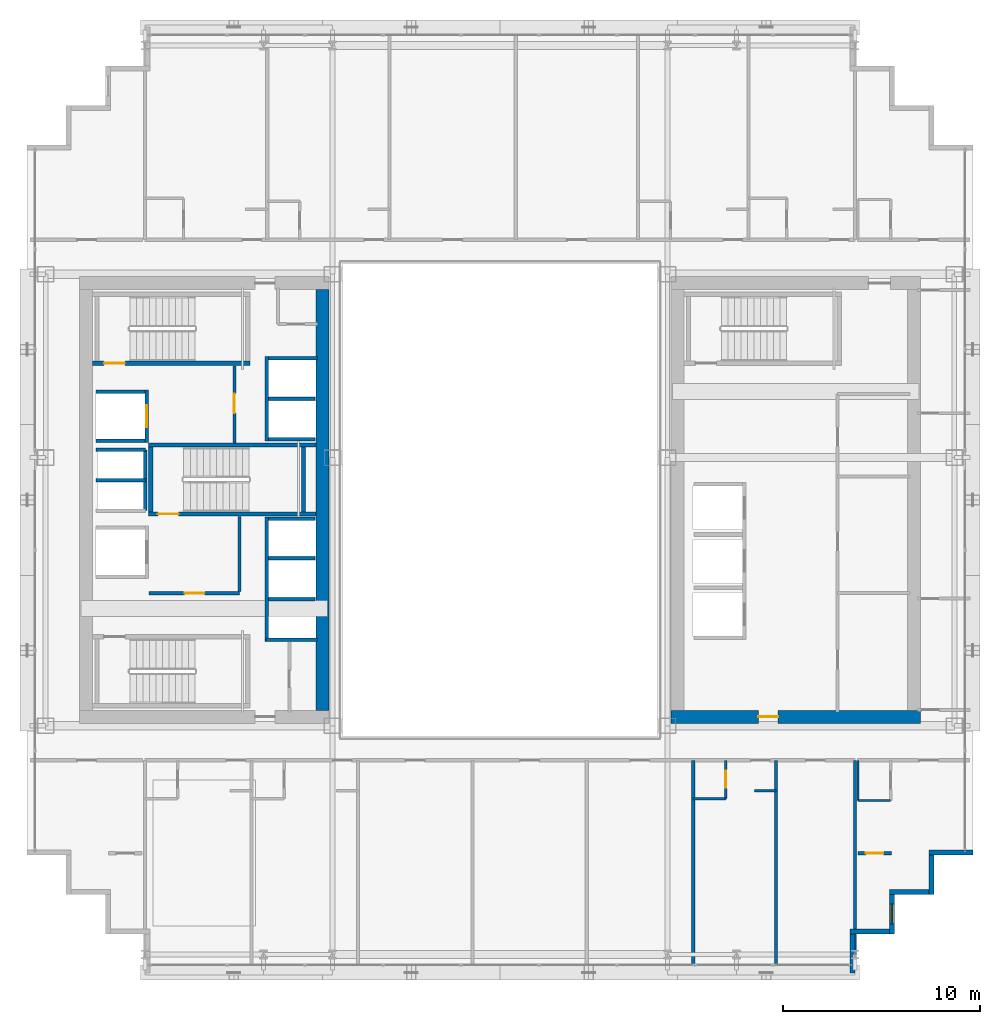
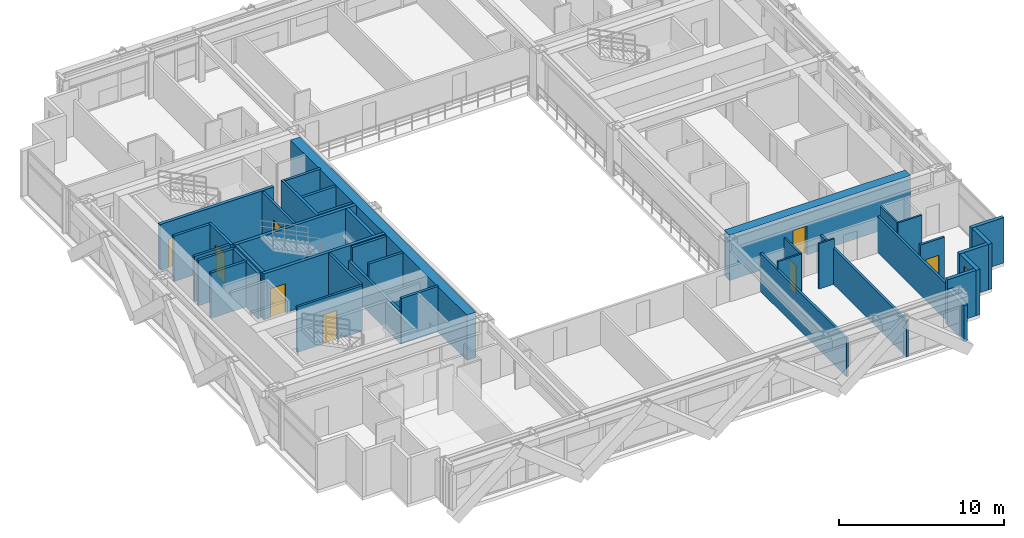
# One storey, part 28 of 35: 40 walls, 8 doors, 1 window, 9 openings.
"""IFC4 building model written with IfcOpenShell, lengths in metres."""

from ifc_helpers import new_model, si_unit, direction, frame, frame_2d, origin, place, context, subcontext, project, spatial, rectangle, extrude, source, transform, mapped, material, layer, layer_set, type_object, element, fill, save


model = new_model("IFC4")

# Units and contexts
model_context = context("Model", 3, precision=1e-05, world=origin(), true_north=direction((0.0, 1.0)))
body_context = subcontext(model_context, "Body", "Model", "MODEL_VIEW")
ifc_project = project(units=[si_unit("LENGTHUNIT", "METRE"), si_unit("AREAUNIT", "SQUARE_METRE"), si_unit("VOLUMEUNIT", "CUBIC_METRE"), si_unit("PLANEANGLEUNIT", "RADIAN"), si_unit("MASSUNIT", "GRAM", prefix="KILO")], contexts=[model_context])

# Site, building, storey
site_placement = place(None, origin())
site = spatial("IfcSite", under=ifc_project, at=site_placement, CompositionType="ELEMENT")
building_placement = place(site_placement, origin())
building = spatial("IfcBuilding", under=site, at=building_placement, Name="Ocotamira Hotel", CompositionType="ELEMENT")
storey_placement = place(building_placement, frame((0.0, 0.0, 118.800048828125)))
storey = spatial("IfcBuildingStorey", under=building, at=storey_placement, Name="L29", CompositionType="ELEMENT", Elevation=118.800048828125)

# Wall
ifc_material_1 = material(Name="Concrete C60/75", Category="concrete")
ifc_layer_1 = layer(ifc_material_1, 0.64990234375)
ifc_layer_set_1 = layer_set([ifc_layer_1], Name="Concrete C60/75")
wall_type_1 = type_object("IfcWallType", Name="WL-CORE-650", PredefinedType="SHEAR", material=ifc_layer_set_1)
wall_1_placement = place(storey_placement, frame((23.0, 15.324951171875, 0.0), z_axis=(0.0, 0.0, 1.0), x_axis=(0.0, 1.0, 0.0)))
element("IfcWall", 1, at=wall_1_placement, inside=storey, type_object=wall_type_1, Name="L29 Shear Core Wall WCORE-E", PredefinedType="SHEAR", context=body_context, shape_type="SweptSolid", body=[
    extrude(rectangle(XDim=21.35009765625, YDim=0.64990234375, at=frame_2d((10.675048828125, 0.0))), origin(), (0.0, 0.0, 1.0), 3.35986328125),
])

# Wall, opening, door
wall_2_placement = place(storey_placement, frame((40.675048828125, 15.0, 0.0), z_axis=(0.0, 0.0, 1.0), x_axis=(1.0, 0.0, 0.0)))
wall_2 = element("IfcWall", 2, at=wall_2_placement, inside=storey, type_object=wall_type_1, Name="L29 Shear Core Wall ECORE-S", PredefinedType="SHEAR", context=body_context, shape_type="SweptSolid", body=[
    extrude(rectangle(XDim=12.64990234375, YDim=0.64990234375, at=frame_2d((6.324951171875, 0.0))), origin(), (0.0, 0.0, 1.0), 3.35986328125),
])
opening_1_placement = place(wall_2_placement, frame((4.425048828125, 0.0, 0.0)))
opening_1 = element("IfcOpeningElement", 3, at=opening_1_placement, cuts=wall_2, Name="Opening D-FR2", PredefinedType="OPENING", context=body_context, shape_type="SweptSolid", body=[
    extrude(rectangle(XDim=1.0, YDim=2.14990234375, at=frame_2d((0.5, 1.074951171875))), frame((0.0, 0.3349609375, 0.0), z_axis=(0.0, -1.0, 0.0), x_axis=(1.0, 0.0, 0.0)), (0.0, 0.0, 1.0), 0.669921875),
])
ifc_material_2 = material(Name="Fire-rated acoustic timber-veneer door", Category="wood")
door_type_1 = type_object("IfcDoorType", Name="DR-FIRE-1000", OperationType="NOTDEFINED", PredefinedType="DOOR", material=ifc_material_2)
shared_shape_1 = source(origin(), body_context, "Body", "SweptSolid", [
    extrude(rectangle(XDim=1.0, YDim=2.14990234375, at=frame_2d((0.5, 1.074951171875))), frame((0.0, 0.02490234375, 0.0), z_axis=(0.0, -1.0, 0.0), x_axis=(1.0, 0.0, 0.0)), (0.0, 0.0, 1.0), 0.050048828125),
])
door_1_placement = place(opening_1_placement, origin())
door_1 = element("IfcDoor", 4, at=door_1_placement, inside=storey, type_object=door_type_1, Name="L29 Door ID-L29-ELOB-S-D [ID-L29-ELOB-S-D]", OperationType="SINGLE_SWING_RIGHT", OverallHeight=2.14990234375, OverallWidth=1.0, PredefinedType="DOOR", context=body_context, shape_type="MappedRepresentation", body=[
    mapped(shared_shape_1, transform((0.0, 0.0, 0.0), scale=1.0)),
])
fill(opening_1, door_1)

# Walls
ifc_material_3 = material(Name="Precast concrete C45/55", Category="concrete")
ifc_layer_2 = layer(ifc_material_3, 0.25)
ifc_layer_set_2 = layer_set([ifc_layer_2], Name="Precast concrete C45/55")
wall_type_2 = type_object("IfcWallType", Name="WL-EXT-SER-250", PredefinedType="SOLIDWALL", material=ifc_layer_set_2)
wall_3_placement = place(storey_placement, frame((49.875, 2.0, 0.0), z_axis=(0.0, 0.0, 1.0), x_axis=(0.0, 1.0, 0.0)))
element("IfcWall", 5, at=wall_3_placement, inside=storey, type_object=wall_type_2, Name="L29 Serrated Corner Wall 01", PredefinedType="SOLIDWALL", context=body_context, shape_type="SweptSolid", body=[
    extrude(rectangle(XDim=2.0, YDim=0.25, at=frame_2d((1.0, 0.0))), origin(), (0.0, 0.0, 1.0), 2.6669921875),
])
wall_4_placement = place(storey_placement, frame((49.75, 4.125, 0.0), z_axis=(0.0, 0.0, 1.0), x_axis=(1.0, 0.0, 0.0)))
element("IfcWall", 6, at=wall_4_placement, inside=storey, type_object=wall_type_2, Name="L29 Serrated Corner Wall 02", PredefinedType="SOLIDWALL", context=body_context, shape_type="SweptSolid", body=[
    extrude(rectangle(XDim=2.0, YDim=0.25, at=frame_2d((1.0, 0.0))), origin(), (0.0, 0.0, 1.0), 3.35986328125),
])

# Wall, opening, window
wall_5_placement = place(storey_placement, frame((51.875, 4.0, 0.0), z_axis=(0.0, 0.0, 1.0), x_axis=(0.0, 1.0, 0.0)))
wall_5 = element("IfcWall", 7, at=wall_5_placement, inside=storey, type_object=wall_type_2, Name="L29 Serrated Corner Wall 03", PredefinedType="SOLIDWALL", context=body_context, shape_type="SweptSolid", body=[
    extrude(rectangle(XDim=2.0, YDim=0.25, at=frame_2d((1.0, 0.0))), origin(), (0.0, 0.0, 1.0), 3.35986328125),
])
opening_2_placement = place(wall_5_placement, frame((0.5, 0.0, 0.85009765625)))
opening_2 = element("IfcOpeningElement", 8, at=opening_2_placement, cuts=wall_5, Name="Opening WN-2", PredefinedType="OPENING", context=body_context, shape_type="SweptSolid", body=[
    extrude(rectangle(XDim=1.0, YDim=1.89990234375, at=frame_2d((0.5, 0.949951171875))), frame((0.0, 0.135009765625, 0.0), z_axis=(0.0, -1.0, 0.0), x_axis=(1.0, 0.0, 0.0)), (0.0, 0.0, 1.0), 0.27001953125),
])
ifc_material_4 = material(Name="Double-silver low-E solar glass", Category="glass")
window_type = type_object("IfcWindowType", Name="WIN-SER-1100", PartitioningType="SINGLE_PANEL", PredefinedType="WINDOW", material=ifc_material_4)
shared_shape_2 = source(origin(), body_context, "Body", "SweptSolid", [
    extrude(rectangle(XDim=1.0, YDim=1.89990234375, at=frame_2d((0.5, 0.949951171875))), frame((0.0, 0.030029296875, 0.0), z_axis=(0.0, -1.0, 0.0), x_axis=(1.0, 0.0, 0.0)), (0.0, 0.0, 1.0), 0.06005859375),
])
window_placement = place(opening_2_placement, origin())
window = element("IfcWindow", 9, at=window_placement, inside=storey, type_object=window_type, Name="L29 Serrated Corner Window 03", OverallHeight=1.89990234375, OverallWidth=1.0, PartitioningType="SINGLE_PANEL", PredefinedType="WINDOW", context=body_context, shape_type="MappedRepresentation", body=[
    mapped(shared_shape_2, transform((0.0, 0.0, 0.0), scale=1.0)),
])
fill(opening_2, window)

# Walls
for number, where, z_axis, x_axis, name in (
    (10, (51.75, 6.125, 0.0), (0.0, 0.0, 1.0), (1.0, 0.0, 0.0), "L29 Serrated Corner Wall 04"),
    (11, (53.875, 6.0, 0.0), (0.0, 0.0, 1.0), (0.0, 1.0, 0.0), "L29 Serrated Corner Wall 05"),
):
    element("IfcWall", number, at=place(storey_placement, frame(where, z_axis=z_axis, x_axis=x_axis)), inside=storey, type_object=wall_type_2, Name=name, PredefinedType="SOLIDWALL", context=body_context, shape_type="SweptSolid", body=[
        extrude(rectangle(XDim=2.0, YDim=0.25, at=frame_2d((1.0, 0.0))), origin(), (0.0, 0.0, 1.0), 3.35986328125),
    ])
wall_6_placement = place(storey_placement, frame((53.75, 8.125, 0.0), z_axis=(0.0, 0.0, 1.0), x_axis=(1.0, 0.0, 0.0)))
element("IfcWall", 12, at=wall_6_placement, inside=storey, type_object=wall_type_2, Name="L29 Serrated Corner Wall 06", PredefinedType="SOLIDWALL", context=body_context, shape_type="SweptSolid", body=[
    extrude(rectangle(XDim=2.25, YDim=0.25, at=frame_2d((1.125, 0.0))), origin(), (0.0, 0.0, 1.0), 3.35986328125),
])

# Wall, opening, door
ifc_material_5 = material(Name="Acoustic double-layer fire gypsum board partition", Category="gypsum")
ifc_layer_3 = layer(ifc_material_5, 0.159912109375)
ifc_layer_set_3 = layer_set([ifc_layer_3], Name="Acoustic double-layer fire gypsum board partition")
wall_type_3 = type_object("IfcWallType", Name="WL-FIRE-160", PredefinedType="PARTITIONING", material=ifc_layer_set_3)
wall_7_placement = place(storey_placement, frame((14.199951171875, 21.27001953125, 0.0), z_axis=(0.0, 0.0, 1.0), x_axis=(1.0, 0.0, 0.0)))
wall_7 = element("IfcWall", 13, at=wall_7_placement, inside=storey, type_object=wall_type_3, Name="L29 Interior Wall PW-L29-FSAE1-S", PredefinedType="PARTITIONING", context=body_context, shape_type="SweptSolid", body=[
    extrude(rectangle(XDim=4.580078125, YDim=0.159912109375, at=frame_2d((2.2900390625, 0.0))), origin(), (0.0, 0.0, 1.0), 3.35986328125),
])
opening_3_placement = place(wall_7_placement, frame((1.800048828125, 0.0, 0.0)))
opening_3 = element("IfcOpeningElement", 14, at=opening_3_placement, cuts=wall_7, Name="Opening D-FR2", PredefinedType="OPENING", context=body_context, shape_type="SweptSolid", body=[
    extrude(rectangle(XDim=1.0, YDim=2.14990234375, at=frame_2d((0.5, 1.074951171875))), frame((0.0, 0.08984375, 0.0), z_axis=(0.0, -1.0, 0.0), x_axis=(1.0, 0.0, 0.0)), (0.0, 0.0, 1.0), 0.179931640625),
])
door_2_placement = place(opening_3_placement, origin())
door_2 = element("IfcDoor", 15, at=door_2_placement, inside=storey, type_object=door_type_1, Name="L29 Door ID-L29-FSAE1-D [ID-L29-FSAE1-D]", OperationType="SINGLE_SWING_LEFT", OverallHeight=2.14990234375, OverallWidth=1.0, PredefinedType="DOOR", context=body_context, shape_type="MappedRepresentation", body=[
    mapped(shared_shape_1, transform((0.0, 0.0, 0.0), scale=1.0)),
])
fill(opening_3, door_2)

# Wall
wall_8_placement = place(storey_placement, frame((18.780029296875, 21.35009765625, 0.0), z_axis=(0.0, 0.0, 1.0), x_axis=(0.0, 1.0, 0.0)))
element("IfcWall", 16, at=wall_8_placement, inside=storey, type_object=wall_type_3, Name="L29 Interior Wall PW-L29-FSAE1-E", PredefinedType="PARTITIONING", context=body_context, shape_type="SweptSolid", body=[
    extrude(rectangle(XDim=3.809814453125, YDim=0.159912109375, at=frame_2d((1.90478515625, 0.0))), origin(), (0.0, 0.0, 1.0), 3.35986328125),
])

# Wall, opening, door
wall_9_placement = place(storey_placement, frame((18.530029296875, 28.89990234375, 0.0), z_axis=(0.0, 0.0, 1.0), x_axis=(0.0, 1.0, 0.0)))
wall_9 = element("IfcWall", 17, at=wall_9_placement, inside=storey, type_object=wall_type_3, Name="L29 Interior Wall PW-L29-FSAE2-E", PredefinedType="PARTITIONING", context=body_context, shape_type="SweptSolid", body=[
    extrude(rectangle(XDim=3.900146484375, YDim=0.159912109375, at=frame_2d((1.9501953125, 0.0))), origin(), (0.0, 0.0, 1.0), 3.35986328125),
])
opening_4_placement = place(wall_9_placement, frame((1.5, 0.0, 0.0)))
opening_4 = element("IfcOpeningElement", 18, at=opening_4_placement, cuts=wall_9, Name="Opening D-FR2", PredefinedType="OPENING", context=body_context, shape_type="SweptSolid", body=[
    extrude(rectangle(XDim=1.0, YDim=2.14990234375, at=frame_2d((0.5, 1.074951171875))), frame((0.0, 0.08984375, 0.0), z_axis=(0.0, -1.0, 0.0), x_axis=(1.0, 0.0, 0.0)), (0.0, 0.0, 1.0), 0.179931640625),
])
door_3_placement = place(opening_4_placement, origin())
door_3 = element("IfcDoor", 19, at=door_3_placement, inside=storey, type_object=door_type_1, Name="L29 Door ID-L29-FSAE2-D [ID-L29-FSAE2-D]", OperationType="SINGLE_SWING_RIGHT", OverallHeight=2.14990234375, OverallWidth=1.0, PredefinedType="DOOR", context=body_context, shape_type="MappedRepresentation", body=[
    mapped(shared_shape_1, transform((0.0, 0.0, 0.0), scale=1.0)),
])
fill(opening_4, door_3)

wall_10_placement = place(storey_placement, frame((50.14990234375, 8.080078125, 0.0), z_axis=(0.0, 0.0, 1.0), x_axis=(1.0, 0.0, 0.0)))
wall_10 = element("IfcWall", 20, at=wall_10_placement, inside=storey, type_object=wall_type_3, Name="L29 Interior Wall PW-L29-Z2C-CSE2-CW", PredefinedType="PARTITIONING", context=body_context, shape_type="SweptSolid", body=[
    extrude(rectangle(XDim=1.7001953125, YDim=0.159912109375, at=frame_2d((0.85009765625, 0.0))), origin(), (0.0, 0.0, 1.0), 3.35986328125),
])
opening_5_placement = place(wall_10_placement, frame((0.409912109375, 0.0, 0.0)))
opening_5 = element("IfcOpeningElement", 21, at=opening_5_placement, cuts=wall_10, Name="Opening D-SV2", PredefinedType="OPENING", context=body_context, shape_type="SweptSolid", body=[
    extrude(rectangle(XDim=0.8798828125, YDim=2.14990234375, at=frame_2d((0.43994140625, 1.074951171875))), frame((0.0, 0.08984375, 0.0), z_axis=(0.0, -1.0, 0.0), x_axis=(1.0, 0.0, 0.0)), (0.0, 0.0, 1.0), 0.179931640625),
])
ifc_material_6 = material(Name="Fire-rated painted steel service door", Category="steel")
door_type_2 = type_object("IfcDoorType", Name="DR-SERV-880", OperationType="NOTDEFINED", PredefinedType="DOOR", material=ifc_material_6)
shared_shape_3 = source(origin(), body_context, "Body", "SweptSolid", [
    extrude(rectangle(XDim=0.8798828125, YDim=2.14990234375, at=frame_2d((0.43994140625, 1.074951171875))), frame((0.0, 0.02490234375, 0.0), z_axis=(0.0, -1.0, 0.0), x_axis=(1.0, 0.0, 0.0)), (0.0, 0.0, 1.0), 0.050048828125),
])
door_4_placement = place(opening_5_placement, origin())
door_4 = element("IfcDoor", 22, at=door_4_placement, inside=storey, type_object=door_type_2, Name="L29 Door ID-L29-Z2C-CSE2-CD [ID-L29-Z2C-CSE2-CD]", OperationType="SINGLE_SWING_LEFT", OverallHeight=2.14990234375, OverallWidth=0.8798828125, PredefinedType="DOOR", context=body_context, shape_type="MappedRepresentation", body=[
    mapped(shared_shape_3, transform((0.0, 0.0, 0.0), scale=1.0)),
])
fill(opening_5, door_4)

# Walls
ifc_material_7 = material(Name="Moisture-resistant en-suite tile and gypsum partition", Category="gypsum")
ifc_layer_4 = layer(ifc_material_7, 0.1201171875)
ifc_layer_set_4 = layer_set([ifc_layer_4], Name="Moisture-resistant en-suite tile and gypsum partition")
wall_type_4 = type_object("IfcWallType", Name="WL-PART-120", PredefinedType="PARTITIONING", material=ifc_layer_set_4)
wall_11_placement = place(storey_placement, frame((50.159912109375, 10.760009765625, 0.0), z_axis=(0.0, 0.0, 1.0), x_axis=(0.0, 1.0, 0.0)))
element("IfcWall", 23, at=wall_11_placement, inside=storey, type_object=wall_type_4, Name="L29 Interior Wall PW-L29-Z2C-CSE-BW", PredefinedType="PARTITIONING", context=body_context, shape_type="SweptSolid", body=[
    extrude(rectangle(XDim=2.0400390625, YDim=0.1201171875, at=frame_2d((1.02001953125, 0.0))), origin(), (0.0, 0.0, 1.0), 3.35986328125),
])
wall_12_placement = place(storey_placement, frame((50.159912109375, 10.760009765625, 0.0), z_axis=(0.0, 0.0, 1.0), x_axis=(1.0, 0.0, 0.0)))
element("IfcWall", 24, at=wall_12_placement, inside=storey, type_object=wall_type_4, Name="L29 Interior Wall PW-L29-Z2C-CSE-BH", PredefinedType="PARTITIONING", context=body_context, shape_type="SweptSolid", body=[
    extrude(rectangle(XDim=1.650146484375, YDim=0.1201171875, at=frame_2d((0.8251953125, 0.0))), origin(), (0.0, 0.0, 1.0), 3.35986328125),
])

# Wall, opening, door
wall_13_placement = place(storey_placement, frame((43.449951171875, 10.85009765625, 0.0), z_axis=(0.0, 0.0, 1.0), x_axis=(0.0, 1.0, 0.0)))
wall_13 = element("IfcWall", 25, at=wall_13_placement, inside=storey, type_object=wall_type_4, Name="L29 Interior Wall PW-L29-Z2CS-BAE6", PredefinedType="PARTITIONING", context=body_context, shape_type="SweptSolid", body=[
    extrude(rectangle(XDim=1.949951171875, YDim=0.1201171875, at=frame_2d((0.97509765625, 0.0))), origin(), (0.0, 0.0, 1.0), 3.35986328125),
])
opening_6_placement = place(wall_13_placement, frame((0.544921875, 0.0, 0.0)))
opening_6 = element("IfcOpeningElement", 26, at=opening_6_placement, cuts=wall_13, Name="Opening D-BA1", PredefinedType="OPENING", context=body_context, shape_type="SweptSolid", body=[
    extrude(rectangle(XDim=0.860107421875, YDim=2.10009765625, at=frame_2d((0.43017578125, 1.050048828125))), frame((0.0, 0.070068359375, 0.0), z_axis=(0.0, -1.0, 0.0), x_axis=(1.0, 0.0, 0.0)), (0.0, 0.0, 1.0), 0.14013671875),
])
ifc_material_8 = material(Name="Moisture-sealed en-suite timber door", Category="wood")
door_type_3 = type_object("IfcDoorType", Name="DR-BATH-860", OperationType="NOTDEFINED", PredefinedType="DOOR", material=ifc_material_8)
shared_shape_4 = source(origin(), body_context, "Body", "SweptSolid", [
    extrude(rectangle(XDim=0.860107421875, YDim=2.10009765625, at=frame_2d((0.43017578125, 1.050048828125))), frame((0.0, 0.02490234375, 0.0), z_axis=(0.0, -1.0, 0.0), x_axis=(1.0, 0.0, 0.0)), (0.0, 0.0, 1.0), 0.050048828125),
])
door_5_placement = place(opening_6_placement, origin())
door_5 = element("IfcDoor", 27, at=door_5_placement, inside=storey, type_object=door_type_3, Name="L29 Door ID-L29-Z2CS-BAD6 [ID-L29-Z2CS-BAD6]", OperationType="SINGLE_SWING_LEFT", OverallHeight=2.10009765625, OverallWidth=0.860107421875, PredefinedType="DOOR", context=body_context, shape_type="MappedRepresentation", body=[
    mapped(shared_shape_4, transform((0.0, 0.0, 0.0), scale=1.0)),
])
fill(opening_6, door_5)

# Walls
wall_14_placement = place(storey_placement, frame((41.800048828125, 10.85009765625, 0.0), z_axis=(0.0, 0.0, 1.0), x_axis=(1.0, 0.0, 0.0)))
element("IfcWall", 28, at=wall_14_placement, inside=storey, type_object=wall_type_4, Name="L29 Interior Wall PW-L29-Z2CS-BAS6", PredefinedType="PARTITIONING", context=body_context, shape_type="SweptSolid", body=[
    extrude(rectangle(XDim=1.64990234375, YDim=0.1201171875, at=frame_2d((0.824951171875, 0.0))), origin(), (0.0, 0.0, 1.0), 3.35986328125),
])
wall_15_placement = place(storey_placement, frame((44.89990234375, 11.25, 0.0), z_axis=(0.0, 0.0, 1.0), x_axis=(1.0, 0.0, 0.0)))
element("IfcWall", 29, at=wall_15_placement, inside=storey, type_object=wall_type_4, Name="L29 Interior Wall PW-L29-Z2CS-DRN6", PredefinedType="PARTITIONING", context=body_context, shape_type="SweptSolid", body=[
    extrude(rectangle(XDim=1.10009765625, YDim=0.1201171875, at=frame_2d((0.550048828125, 0.0))), origin(), (0.0, 0.0, 1.0), 3.35986328125),
])
ifc_material_9 = material(Name="Acoustic double-stud hospitality gypsum partition", Category="gypsum")
ifc_layer_5 = layer(ifc_material_9, 0.159912109375)
ifc_layer_set_5 = layer_set([ifc_layer_5], Name="Acoustic double-stud hospitality gypsum partition")
wall_type_5 = type_object("IfcWallType", Name="WL-PART-160", PredefinedType="PARTITIONING", material=ifc_layer_set_5)
wall_16_placement = place(storey_placement, frame((50.0, 2.360107421875, 0.0), z_axis=(0.0, 0.0, 1.0), x_axis=(0.0, 1.0, 0.0)))
element("IfcWall", 30, at=wall_16_placement, inside=storey, type_object=wall_type_5, Name="L29 Interior Wall PW-L29-Z2CS-PWEND", PredefinedType="PARTITIONING", context=body_context, shape_type="SweptSolid", body=[
    extrude(rectangle(XDim=10.43994140625, YDim=0.159912109375, at=frame_2d((5.219970703125, 0.0))), origin(), (0.0, 0.0, 1.0), 2.6669921875),
])
wall_17_placement = place(storey_placement, frame((41.800048828125, 2.360107421875, 0.0), z_axis=(0.0, 0.0, 1.0), x_axis=(0.0, 1.0, 0.0)))
element("IfcWall", 31, at=wall_17_placement, inside=storey, type_object=wall_type_5, Name="L29 Interior Wall PW-L29-Z2CS-PW5", PredefinedType="PARTITIONING", context=body_context, shape_type="SweptSolid", body=[
    extrude(rectangle(XDim=10.43994140625, YDim=0.159912109375, at=frame_2d((5.219970703125, 0.0))), origin(), (0.0, 0.0, 1.0), 2.822998046875),
])
wall_18_placement = place(storey_placement, frame((46.0, 2.360107421875, 0.0), z_axis=(0.0, 0.0, 1.0), x_axis=(0.0, 1.0, 0.0)))
element("IfcWall", 32, at=wall_18_placement, inside=storey, type_object=wall_type_5, Name="L29 Interior Wall PW-L29-Z2CS-PW6", PredefinedType="PARTITIONING", context=body_context, shape_type="SweptSolid", body=[
    extrude(rectangle(XDim=10.43994140625, YDim=0.159912109375, at=frame_2d((5.219970703125, 0.0))), origin(), (0.0, 0.0, 1.0), 2.6669921875),
])
ifc_material_10 = material(Name="Fire-rated gypsum shaftliner board assembly", Category="gypsum")
ifc_layer_6 = layer(ifc_material_10, 0.179931640625)
ifc_layer_set_6 = layer_set([ifc_layer_6], Name="Fire-rated gypsum shaftliner board assembly")
wall_type_6 = type_object("IfcWallType", Name="WL-SHAFT-180", PredefinedType="SOLIDWALL", material=ifc_layer_set_6)
wall_19_placement = place(storey_placement, frame((20.159912109375, 18.820068359375, 0.0), z_axis=(0.0, 0.0, 1.0), x_axis=(0.0, 1.0, 0.0)))
element("IfcWall", 33, at=wall_19_placement, inside=storey, type_object=wall_type_6, Name="L29 Interior Wall PW-L29-LFW-BANK-high-F", PredefinedType="SOLIDWALL", context=body_context, shape_type="SweptSolid", body=[
    extrude(rectangle(XDim=6.31982421875, YDim=0.179931640625, at=frame_2d((3.159912109375, 0.0))), origin(), (0.0, 0.0, 1.0), 2.35986328125),
])
wall_20_placement = place(storey_placement, frame((20.1201171875, 18.909912109375, 0.0), z_axis=(0.0, 0.0, 1.0), x_axis=(1.0, 0.0, 0.0)))
element("IfcWall", 34, at=wall_20_placement, inside=storey, type_object=wall_type_6, Name="L29 Interior Wall PW-L29-LFW-BANK-high-S", PredefinedType="SOLIDWALL", context=body_context, shape_type="SweptSolid", body=[
    extrude(rectangle(XDim=2.6298828125, YDim=0.179931640625, at=frame_2d((1.31494140625, 0.0))), origin(), (0.0, 0.0, 1.0), 3.35986328125),
])
wall_21_placement = place(storey_placement, frame((20.25, 25.050048828125, 0.0), z_axis=(0.0, 0.0, 1.0), x_axis=(1.0, 0.0, 0.0)))
element("IfcWall", 35, at=wall_21_placement, inside=storey, type_object=wall_type_6, Name="L29 Interior Wall PW-L29-LFW-BANK-high-N", PredefinedType="SOLIDWALL", context=body_context, shape_type="SweptSolid", body=[
    extrude(rectangle(XDim=2.360107421875, YDim=0.179931640625, at=frame_2d((1.18017578125, 0.0))), origin(), (0.0, 0.0, 1.0), 3.35986328125),
])
wall_22_placement = place(storey_placement, frame((20.25, 20.965087890625, 0.0), z_axis=(0.0, 0.0, 1.0), x_axis=(1.0, 0.0, 0.0)))
element("IfcWall", 36, at=wall_22_placement, inside=storey, type_object=wall_type_6, Name="L29 Interior Wall PW-L29-LFW-DIV-LF-P7", PredefinedType="SOLIDWALL", context=body_context, shape_type="SweptSolid", body=[
    extrude(rectangle(XDim=2.360107421875, YDim=0.179931640625, at=frame_2d((1.18017578125, 0.0))), origin(), (0.0, 0.0, 1.0), 2.35986328125),
])
wall_23_placement = place(storey_placement, frame((20.25, 23.044921875, 0.0), z_axis=(0.0, 0.0, 1.0), x_axis=(1.0, 0.0, 0.0)))
element("IfcWall", 37, at=wall_23_placement, inside=storey, type_object=wall_type_6, Name="L29 Interior Wall PW-L29-LFW-DIV-LF-P8", PredefinedType="SOLIDWALL", context=body_context, shape_type="SweptSolid", body=[
    extrude(rectangle(XDim=2.360107421875, YDim=0.179931640625, at=frame_2d((1.18017578125, 0.0))), origin(), (0.0, 0.0, 1.0), 3.35986328125),
])
wall_24_placement = place(storey_placement, frame((20.159912109375, 29.0, 0.0), z_axis=(0.0, 0.0, 1.0), x_axis=(0.0, 1.0, 0.0)))
element("IfcWall", 38, at=wall_24_placement, inside=storey, type_object=wall_type_6, Name="L29 Interior Wall PW-L29-LFW-BANK-obs-F", PredefinedType="SOLIDWALL", context=body_context, shape_type="SweptSolid", body=[
    extrude(rectangle(XDim=4.2900390625, YDim=0.179931640625, at=frame_2d((2.14501953125, 0.0))), origin(), (0.0, 0.0, 1.0), 3.35986328125),
])
wall_25_placement = place(storey_placement, frame((20.25, 29.090087890625, 0.0), z_axis=(0.0, 0.0, 1.0), x_axis=(1.0, 0.0, 0.0)))
element("IfcWall", 39, at=wall_25_placement, inside=storey, type_object=wall_type_6, Name="L29 Interior Wall PW-L29-LFW-BANK-obs-S", PredefinedType="SOLIDWALL", context=body_context, shape_type="SweptSolid", body=[
    extrude(rectangle(XDim=2.360107421875, YDim=0.179931640625, at=frame_2d((1.18017578125, 0.0))), origin(), (0.0, 0.0, 1.0), 3.35986328125),
])
wall_26_placement = place(storey_placement, frame((20.25, 33.199951171875, 0.0), z_axis=(0.0, 0.0, 1.0), x_axis=(1.0, 0.0, 0.0)))
element("IfcWall", 40, at=wall_26_placement, inside=storey, type_object=wall_type_6, Name="L29 Interior Wall PW-L29-LFW-BANK-obs-N", PredefinedType="SOLIDWALL", context=body_context, shape_type="SweptSolid", body=[
    extrude(rectangle(XDim=2.5, YDim=0.179931640625, at=frame_2d((1.25, 0.0))), origin(), (0.0, 0.0, 1.0), 3.35986328125),
])
wall_27_placement = place(storey_placement, frame((20.25, 31.14501953125, 0.0), z_axis=(0.0, 0.0, 1.0), x_axis=(1.0, 0.0, 0.0)))
element("IfcWall", 41, at=wall_27_placement, inside=storey, type_object=wall_type_6, Name="L29 Interior Wall PW-L29-LFW-DIV-LF-OBS1", PredefinedType="SOLIDWALL", context=body_context, shape_type="SweptSolid", body=[
    extrude(rectangle(XDim=2.360107421875, YDim=0.179931640625, at=frame_2d((1.18017578125, 0.0))), origin(), (0.0, 0.0, 1.0), 3.35986328125),
])
for number, where, z_axis, x_axis, name in (
    (42, (11.5, 29.010009765625, 0.0), (0.0, 0.0, 1.0), (1.0, 0.0, 0.0), "L29 Interior Wall PW-L29-LFW-LF-FSAE2-S"),
    (43, (11.5, 31.489990234375, 0.0), (0.0, 0.0, 1.0), (1.0, 0.0, 0.0), "L29 Interior Wall PW-L29-LFW-LF-FSAE2-N"),
):
    element("IfcWall", number, at=place(storey_placement, frame(where, z_axis=z_axis, x_axis=x_axis)), inside=storey, type_object=wall_type_6, Name=name, PredefinedType="SOLIDWALL", context=body_context, shape_type="SweptSolid", body=[
        extrude(rectangle(XDim=2.5, YDim=0.179931640625, at=frame_2d((1.25, 0.0))), origin(), (0.0, 0.0, 1.0), 3.35986328125),
    ])

# Wall, opening, door
wall_28_placement = place(storey_placement, frame((14.090087890625, 28.919921875, 0.0), z_axis=(0.0, 0.0, 1.0), x_axis=(0.0, 1.0, 0.0)))
wall_28 = element("IfcWall", 44, at=wall_28_placement, inside=storey, type_object=wall_type_6, Name="L29 Interior Wall PW-L29-LFW-LF-FSAE2-E", PredefinedType="SOLIDWALL", context=body_context, shape_type="SweptSolid", body=[
    extrude(rectangle(XDim=2.66015625, YDim=0.179931640625, at=frame_2d((1.330078125, 0.0))), origin(), (0.0, 0.0, 1.0), 3.35986328125),
])
opening_7_placement = place(wall_28_placement, frame((0.780029296875, 0.0, 0.0)))
opening_7 = element("IfcOpeningElement", 45, at=opening_7_placement, cuts=wall_28, Name="Opening LD-LF-FSAE2", PredefinedType="OPENING", context=body_context, shape_type="SweptSolid", body=[
    extrude(rectangle(XDim=1.10009765625, YDim=2.199951171875, at=frame_2d((0.550048828125, 1.10009765625))), frame((0.0, 0.10009765625, 0.0), z_axis=(0.0, -1.0, 0.0), x_axis=(1.0, 0.0, 0.0)), (0.0, 0.0, 1.0), 0.199951171875),
])
ifc_material_11 = material(Name="Brushed pale-metal stainless elevator landing door", Category="steel")
door_type_4 = type_object("IfcDoorType", Name="DR-LIFT-1100", OperationType="NOTDEFINED", PredefinedType="DOOR", material=ifc_material_11)
shared_shape_5 = source(origin(), body_context, "Body", "SweptSolid", [
    extrude(rectangle(XDim=1.10009765625, YDim=2.199951171875, at=frame_2d((0.550048828125, 1.10009765625))), frame((0.0, 0.02490234375, 0.0), z_axis=(0.0, -1.0, 0.0), x_axis=(1.0, 0.0, 0.0)), (0.0, 0.0, 1.0), 0.050048828125),
])
door_6_placement = place(opening_7_placement, origin())
door_6 = element("IfcDoor", 46, at=door_6_placement, inside=storey, type_object=door_type_4, Name="L29 Landing Door LD-LF-FSAE2 [ID-L29-LD-LF-FSAE2]", OperationType="DOUBLE_DOOR_SLIDING", OverallHeight=2.199951171875, OverallWidth=1.10009765625, PredefinedType="DOOR", context=body_context, shape_type="MappedRepresentation", body=[
    mapped(shared_shape_5, transform((0.0, 0.0, 0.0), scale=1.0)),
])
fill(opening_7, door_6)

# Walls
for number, where, z_axis, x_axis, name in (
    (47, (11.5, 27.0, 0.0), (0.0, 0.0, 1.0), (1.0, 0.0, 0.0), "L29 Interior Wall PW-L29-RSW-MID"),
    (48, (11.5, 28.5400390625, 0.0), (0.0, 0.0, 1.0), (1.0, 0.0, 0.0), "L29 Interior Wall PW-L29-RSW-N"),
):
    element("IfcWall", number, at=place(storey_placement, frame(where, z_axis=z_axis, x_axis=x_axis)), inside=storey, type_object=wall_type_6, Name=name, PredefinedType="SOLIDWALL", context=body_context, shape_type="SweptSolid", body=[
        extrude(rectangle(XDim=2.510009765625, YDim=0.179931640625, at=frame_2d((1.2548828125, 0.0))), origin(), (0.0, 0.0, 1.0), 3.35986328125),
    ])
wall_29_placement = place(storey_placement, frame((14.010009765625, 25.4599609375, 0.0), z_axis=(0.0, 0.0, 1.0), x_axis=(0.0, 1.0, 0.0)))
element("IfcWall", 49, at=wall_29_placement, inside=storey, type_object=wall_type_6, Name="L29 Interior Wall PW-L29-RSW-E", PredefinedType="SOLIDWALL", context=body_context, shape_type="SweptSolid", body=[
    extrude(rectangle(XDim=3.080078125, YDim=0.179931640625, at=frame_2d((1.5400390625, 0.0))), origin(), (0.0, 0.0, 1.0), 3.35986328125),
])

# Wall, opening, door
ifc_material_12 = material(Name="Concrete C50/60", Category="concrete")
ifc_layer_7 = layer(ifc_material_12, 0.219970703125)
ifc_layer_set_7 = layer_set([ifc_layer_7], Name="Concrete C50/60")
wall_type_7 = type_object("IfcWallType", Name="WL-STAIR-220", PredefinedType="SHEAR", material=ifc_layer_set_7)
wall_30_placement = place(storey_placement, frame((11.324951171875, 32.93994140625, 0.0), z_axis=(0.0, 0.0, 1.0), x_axis=(1.0, 0.0, 0.0)))
wall_30 = element("IfcWall", 50, at=wall_30_placement, inside=storey, type_object=wall_type_7, Name="L29 Stair Shaft Structural Wall ST-2-S", PredefinedType="SHEAR", context=body_context, shape_type="SweptSolid", body=[
    extrude(rectangle(XDim=7.985107421875, YDim=0.219970703125, at=frame_2d((3.99267578125, 0.0))), origin(), (0.0, 0.0, 1.0), 3.39990234375),
])
opening_8_placement = place(wall_30_placement, frame((0.594970703125, 0.0, 0.0)))
opening_8 = element("IfcOpeningElement", 51, at=opening_8_placement, cuts=wall_30, Name="Opening D-ST2", PredefinedType="OPENING", context=body_context, shape_type="SweptSolid", body=[
    extrude(rectangle(XDim=1.050048828125, YDim=2.14990234375, at=frame_2d((0.52490234375, 1.074951171875))), frame((0.0, 0.1201171875, 0.0), z_axis=(0.0, -1.0, 0.0), x_axis=(1.0, 0.0, 0.0)), (0.0, 0.0, 1.0), 0.239990234375),
])
ifc_material_13 = material(Name="Insulated painted hollow-metal fire exit door", Category="steel")
door_type_5 = type_object("IfcDoorType", Name="DR-STAIR-1050", OperationType="NOTDEFINED", PredefinedType="DOOR", material=ifc_material_13)
shared_shape_6 = source(origin(), body_context, "Body", "SweptSolid", [
    extrude(rectangle(XDim=1.050048828125, YDim=2.14990234375, at=frame_2d((0.52490234375, 1.074951171875))), frame((0.0, 0.02490234375, 0.0), z_axis=(0.0, -1.0, 0.0), x_axis=(1.0, 0.0, 0.0)), (0.0, 0.0, 1.0), 0.050048828125),
])
door_7_placement = place(opening_8_placement, origin())
door_7 = element("IfcDoor", 52, at=door_7_placement, inside=storey, type_object=door_type_5, Name="L29 Door ID-L29-STD-ST-2 [ID-L29-STD-ST-2]", OperationType="SINGLE_SWING_LEFT", OverallHeight=2.14990234375, OverallWidth=1.050048828125, PredefinedType="DOOR", context=body_context, shape_type="MappedRepresentation", body=[
    mapped(shared_shape_6, transform((0.0, 0.0, 0.0), scale=1.0)),
])
fill(opening_8, door_7)

wall_31_placement = place(storey_placement, frame((14.179931640625, 25.2900390625, 0.0), z_axis=(0.0, 0.0, 1.0), x_axis=(1.0, 0.0, 0.0)))
wall_31 = element("IfcWall", 53, at=wall_31_placement, inside=storey, type_object=wall_type_7, Name="L29 Stair Shaft Structural Wall ST-3-S", PredefinedType="SHEAR", context=body_context, shape_type="SweptSolid", body=[
    extrude(rectangle(XDim=8.4951171875, YDim=0.219970703125, at=frame_2d((4.24755859375, 0.0))), origin(), (0.0, 0.0, 1.0), 3.39990234375),
])
opening_9_placement = place(wall_31_placement, frame((0.469970703125, 0.0, 0.0)))
opening_9 = element("IfcOpeningElement", 54, at=opening_9_placement, cuts=wall_31, Name="Opening D-ST2", PredefinedType="OPENING", context=body_context, shape_type="SweptSolid", body=[
    extrude(rectangle(XDim=1.050048828125, YDim=2.14990234375, at=frame_2d((0.52490234375, 1.074951171875))), frame((0.0, 0.1201171875, 0.0), z_axis=(0.0, -1.0, 0.0), x_axis=(1.0, 0.0, 0.0)), (0.0, 0.0, 1.0), 0.239990234375),
])
door_8_placement = place(opening_9_placement, origin())
door_8 = element("IfcDoor", 55, at=door_8_placement, inside=storey, type_object=door_type_5, Name="L29 Door ID-L29-STD-ST-3 [ID-L29-STD-ST-3]", OperationType="SINGLE_SWING_RIGHT", OverallHeight=2.14990234375, OverallWidth=1.050048828125, PredefinedType="DOOR", context=body_context, shape_type="MappedRepresentation", body=[
    mapped(shared_shape_6, transform((0.0, 0.0, 0.0), scale=1.0)),
])
fill(opening_9, door_8)

# Walls
wall_32_placement = place(storey_placement, frame((14.179931640625, 28.7900390625, 0.0), z_axis=(0.0, 0.0, 1.0), x_axis=(1.0, 0.0, 0.0)))
element("IfcWall", 56, at=wall_32_placement, inside=storey, type_object=wall_type_7, Name="L29 Stair Shaft Structural Wall ST-3-N", PredefinedType="SHEAR", context=body_context, shape_type="SweptSolid", body=[
    extrude(rectangle(XDim=8.4951171875, YDim=0.219970703125, at=frame_2d((4.24755859375, 0.0))), origin(), (0.0, 0.0, 1.0), 3.39990234375),
])
for number, where, z_axis, x_axis, name in (
    (57, (14.2900390625, 25.39990234375, 0.0), (0.0, 0.0, 1.0), (0.0, 1.0, 0.0), "L29 Stair Shaft Structural Wall ST-3-W"),
    (58, (22.030029296875, 25.39990234375, 0.0), (0.0, 0.0, 1.0), (0.0, 1.0, 0.0), "L29 Stair Shaft Structural Wall ST-3-E"),
):
    element("IfcWall", number, at=place(storey_placement, frame(where, z_axis=z_axis, x_axis=x_axis)), inside=storey, type_object=wall_type_7, Name=name, PredefinedType="SHEAR", context=body_context, shape_type="SweptSolid", body=[
        extrude(rectangle(XDim=3.280029296875, YDim=0.219970703125, at=frame_2d((1.64013671875, 0.0))), origin(), (0.0, 0.0, 1.0), 3.39990234375),
    ])

save(model, "model.ifc")
